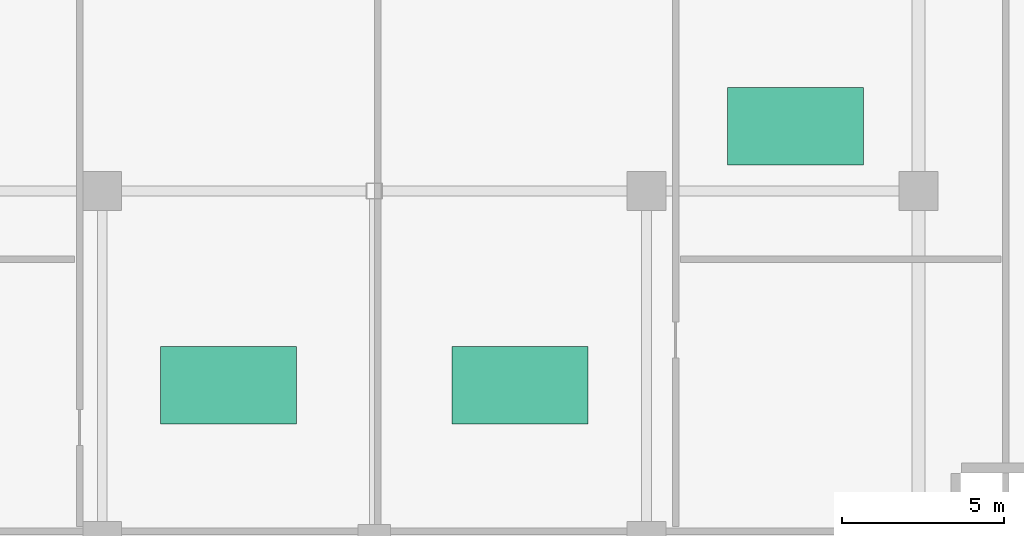
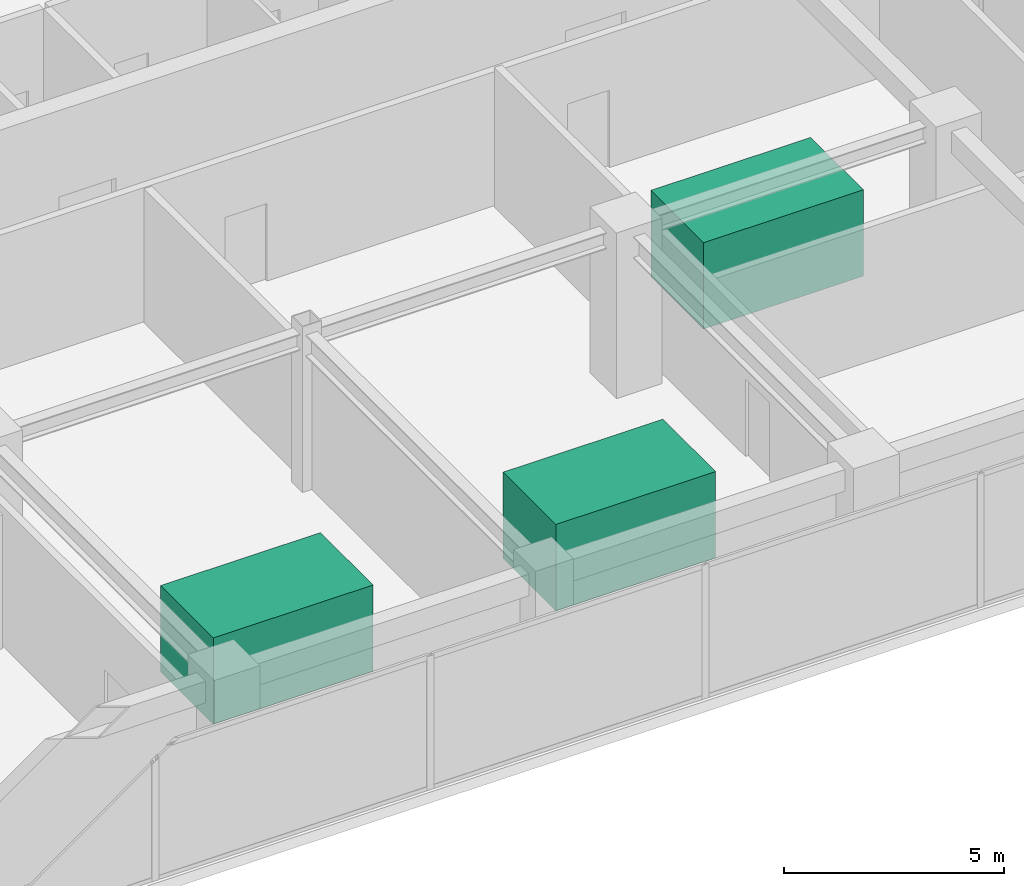
# One storey, part 19 of 19: 3 unitary equipment elements.
"""IFC4 building model written with IfcOpenShell, lengths in metres."""

from ifc_helpers import new_model, si_unit, direction, frame, origin, origin_2d, place, context, subcontext, project, spatial, rectangle, extrude, source, transform, mapped, material, type_object, element, save


model = new_model("IFC4")

# Units and contexts
model_context = context("Model", 3, precision=1e-05, world=origin(), true_north=direction((0.0, 1.0)))
body_context = subcontext(model_context, "Body", "Model", "MODEL_VIEW")
ifc_project = project(units=[si_unit("LENGTHUNIT", "METRE"), si_unit("AREAUNIT", "SQUARE_METRE"), si_unit("VOLUMEUNIT", "CUBIC_METRE"), si_unit("PLANEANGLEUNIT", "RADIAN"), si_unit("MASSUNIT", "GRAM", prefix="KILO")], contexts=[model_context])

# Site, building, storey
site_placement = place(None, origin())
site = spatial("IfcSite", under=ifc_project, at=site_placement, CompositionType="ELEMENT")
building_placement = place(site_placement, origin())
building = spatial("IfcBuilding", under=site, at=building_placement, Name="Sumidabori Civic Tower", CompositionType="ELEMENT")
storey_placement = place(building_placement, frame((0.0, 0.0, 293.60009765625)))
storey = spatial("IfcBuildingStorey", under=building, at=storey_placement, Name="L77", CompositionType="ELEMENT", Elevation=293.60009765625)

# Unitary equipment
ifc_material = material(Name="Stainless Steel Hairline Finish", Category="steel")
unitary_equipment_type = type_object("IfcUnitaryEquipmentType", Name="EQ-PLANT-1", PredefinedType="AIRHANDLER", material=ifc_material)
shared_shape = source(origin(), body_context, "Body", "SweptSolid", [
    extrude(rectangle(XDim=4.199951171875, YDim=2.39990234375, at=origin_2d()), origin(), (0.0, 0.0, 1.0), 2.39990234375),
])
for number, where, z_axis, x_axis, name in (
    (1, (-4.5, -6.0, 0.0), (0.0, 0.0, 1.0), (1.0, 0.0, 0.0), "Centrifugal Chiller Unit L77-1"),
    (2, (4.5, -6.0, 0.0), (0.0, 0.0, 1.0), (1.0, 0.0, 0.0), "Heat Recovery AHU L77-2"),
    (3, (13.0, 2.0, 0.0), (0.0, 0.0, 1.0), (1.0, 0.0, 0.0), "Main Switchgear Cubicle L77-3"),
):
    element("IfcUnitaryEquipment", number, at=place(storey_placement, frame(where, z_axis=z_axis, x_axis=x_axis)), inside=storey, type_object=unitary_equipment_type, Name=name, PredefinedType="AIRHANDLER", context=body_context, shape_type="MappedRepresentation", body=[
        mapped(shared_shape, transform((0.0, 0.0, 0.0), x_axis=(1.0, 0.0, 0.0), y_axis=(0.0, 1.0, 0.0), z_axis=(0.0, 0.0, 1.0), scale=1.0)),
    ])

save(model, "model.ifc")
